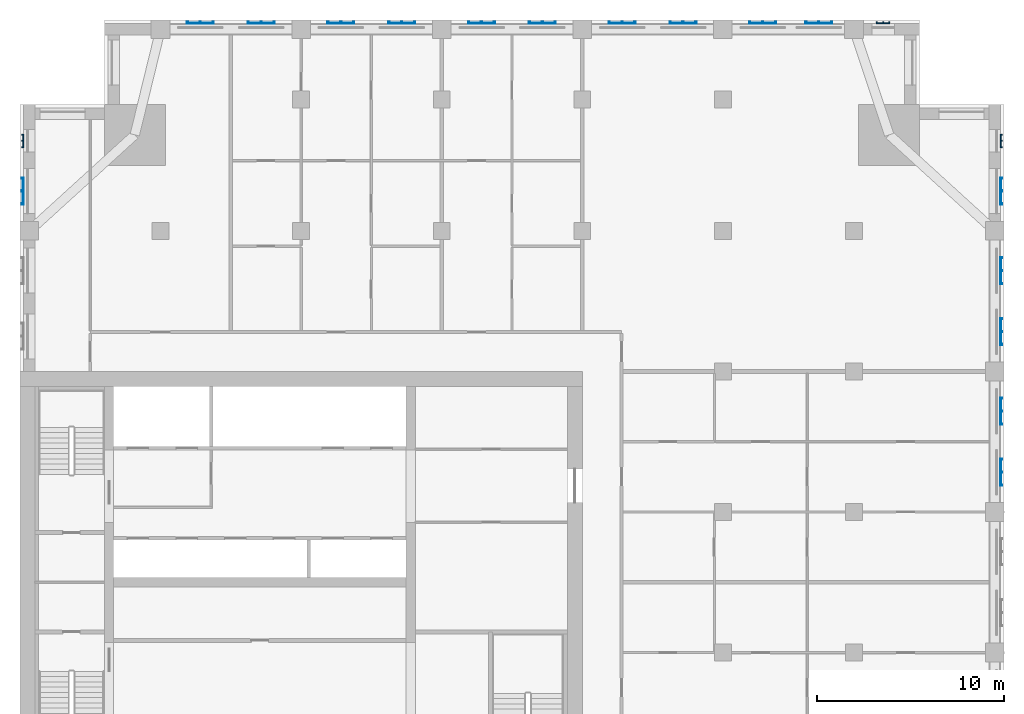
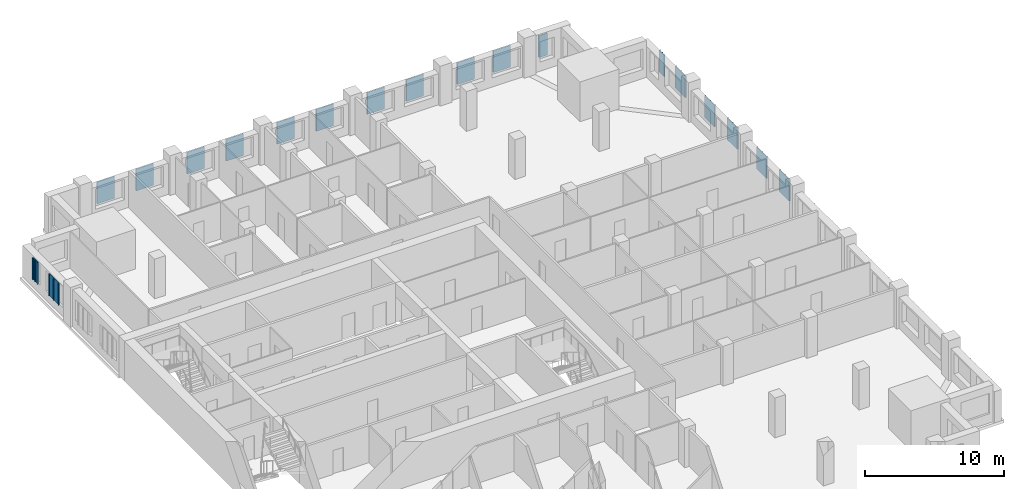
# One storey, part 5 of 14: 19 plates.
"""IFC4 building model written with IfcOpenShell, lengths in metres."""

from ifc_helpers import new_model, si_unit, direction, frame, origin, place, context, subcontext, project, spatial, polyline, outline, extrude, material, layer, layer_set, type_object, element, save


model = new_model("IFC4")

# Units and contexts
model_context = context("Model", 3, precision=1e-05, world=origin(), true_north=direction((0.0, 1.0)))
body_context = subcontext(model_context, "Body", "Model", "MODEL_VIEW")
ifc_project = project(units=[si_unit("LENGTHUNIT", "METRE"), si_unit("AREAUNIT", "SQUARE_METRE"), si_unit("VOLUMEUNIT", "CUBIC_METRE"), si_unit("PLANEANGLEUNIT", "RADIAN"), si_unit("MASSUNIT", "GRAM", prefix="KILO")], contexts=[model_context])

# Site, building, storey
site_placement = place(None, origin())
site = spatial("IfcSite", under=ifc_project, at=site_placement, CompositionType="ELEMENT")
building_placement = place(site_placement, origin())
building = spatial("IfcBuilding", under=site, at=building_placement, Name="Tamorin Gate", CompositionType="ELEMENT")
storey_placement = place(building_placement, frame((0.0, 0.0, 179.199951171875)))
storey = spatial("IfcBuildingStorey", under=building, at=storey_placement, Name="L43", CompositionType="ELEMENT", Elevation=179.199951171875)

# Plates
ifc_material = material(Name="Perforated pale aluminium sheet", Category="aluminium")
ifc_layer_1 = layer(ifc_material, 0.0400390625)
ifc_layer_set_1 = layer_set([ifc_layer_1], Name="Pale metal solar screen 1440")
plate_type_1 = type_object("IfcPlateType", Name="Pale metal solar screen 1440", PredefinedType="SHEET", material=ifc_layer_set_1)
plate_1_placement = place(storey_placement, frame((0.0, 0.0, 0.737548828125)))
element("IfcPlate", 1, at=plate_1_placement, inside=storey, type_object=plate_type_1, Name="Perforated solar screen", PredefinedType="SHEET", context=body_context, shape_type="SweptSolid", body=[
    extrude(outline(polyline([(82.340087890625, 76.405029296875), (82.300048828125, 76.405029296875), (82.300048828125, 76.465087890625), (82.300048828125, 77.094970703125), (82.300048828125, 77.155029296875), (82.300048828125, 77.784912109375), (82.300048828125, 77.844970703125), (82.340087890625, 77.844970703125), (82.39990234375, 77.844970703125), (82.39990234375, 77.784912109375), (82.340087890625, 77.784912109375), (82.340087890625, 77.155029296875), (82.39990234375, 77.155029296875), (82.39990234375, 77.094970703125), (82.340087890625, 77.094970703125), (82.340087890625, 76.465087890625), (82.39990234375, 76.465087890625), (82.39990234375, 76.405029296875), (82.340087890625, 76.405029296875)])), origin(), (0.0, 0.0, 1.0), 1.925048828125),
])
plate_2_placement = place(storey_placement, frame((0.0, 0.0, 0.737548828125)))
element("IfcPlate", 2, at=plate_2_placement, inside=storey, type_object=plate_type_1, Name="Perforated solar screen", PredefinedType="SHEET", context=body_context, shape_type="SweptSolid", body=[
    extrude(outline(polyline([(82.340087890625, 79.655029296875), (82.300048828125, 79.655029296875), (82.300048828125, 79.715087890625), (82.300048828125, 80.344970703125), (82.300048828125, 80.405029296875), (82.300048828125, 81.034912109375), (82.300048828125, 81.094970703125), (82.340087890625, 81.094970703125), (82.39990234375, 81.094970703125), (82.39990234375, 81.034912109375), (82.340087890625, 81.034912109375), (82.340087890625, 80.405029296875), (82.39990234375, 80.405029296875), (82.39990234375, 80.344970703125), (82.340087890625, 80.344970703125), (82.340087890625, 79.715087890625), (82.39990234375, 79.715087890625), (82.39990234375, 79.655029296875), (82.340087890625, 79.655029296875)])), origin(), (0.0, 0.0, 1.0), 1.925048828125),
])
plate_3_placement = place(storey_placement, frame((0.0, 0.0, 0.737548828125)))
element("IfcPlate", 3, at=plate_3_placement, inside=storey, type_object=plate_type_1, Name="Perforated solar screen", PredefinedType="SHEET", context=body_context, shape_type="SweptSolid", body=[
    extrude(outline(polyline([(82.340087890625, 83.905029296875), (82.300048828125, 83.905029296875), (82.300048828125, 83.965087890625), (82.300048828125, 84.594970703125), (82.300048828125, 84.655029296875), (82.300048828125, 85.284912109375), (82.300048828125, 85.344970703125), (82.340087890625, 85.344970703125), (82.39990234375, 85.344970703125), (82.39990234375, 85.284912109375), (82.340087890625, 85.284912109375), (82.340087890625, 84.655029296875), (82.39990234375, 84.655029296875), (82.39990234375, 84.594970703125), (82.340087890625, 84.594970703125), (82.340087890625, 83.965087890625), (82.39990234375, 83.965087890625), (82.39990234375, 83.905029296875), (82.340087890625, 83.905029296875)])), origin(), (0.0, 0.0, 1.0), 1.925048828125),
])
plate_4_placement = place(storey_placement, frame((0.0, 0.0, 0.737548828125)))
element("IfcPlate", 4, at=plate_4_placement, inside=storey, type_object=plate_type_1, Name="Perforated solar screen", PredefinedType="SHEET", context=body_context, shape_type="SweptSolid", body=[
    extrude(outline(polyline([(82.340087890625, 87.155029296875), (82.300048828125, 87.155029296875), (82.300048828125, 87.215087890625), (82.300048828125, 87.844970703125), (82.300048828125, 87.905029296875), (82.300048828125, 88.534912109375), (82.300048828125, 88.594970703125), (82.340087890625, 88.594970703125), (82.39990234375, 88.594970703125), (82.39990234375, 88.534912109375), (82.340087890625, 88.534912109375), (82.340087890625, 87.905029296875), (82.39990234375, 87.905029296875), (82.39990234375, 87.844970703125), (82.340087890625, 87.844970703125), (82.340087890625, 87.215087890625), (82.39990234375, 87.215087890625), (82.39990234375, 87.155029296875), (82.340087890625, 87.155029296875)])), origin(), (0.0, 0.0, 1.0), 1.925048828125),
])
plate_5_placement = place(storey_placement, frame((0.0, 0.0, 0.737548828125)))
element("IfcPlate", 5, at=plate_5_placement, inside=storey, type_object=plate_type_1, Name="Perforated solar screen", PredefinedType="SHEET", context=body_context, shape_type="SweptSolid", body=[
    extrude(outline(polyline([(82.340087890625, 91.405029296875), (82.300048828125, 91.405029296875), (82.300048828125, 91.465087890625), (82.300048828125, 92.094970703125), (82.300048828125, 92.155029296875), (82.300048828125, 92.784912109375), (82.300048828125, 92.844970703125), (82.340087890625, 92.844970703125), (82.39990234375, 92.844970703125), (82.39990234375, 92.784912109375), (82.340087890625, 92.784912109375), (82.340087890625, 92.155029296875), (82.39990234375, 92.155029296875), (82.39990234375, 92.094970703125), (82.340087890625, 92.094970703125), (82.340087890625, 91.465087890625), (82.39990234375, 91.465087890625), (82.39990234375, 91.405029296875), (82.340087890625, 91.405029296875)])), origin(), (0.0, 0.0, 1.0), 1.925048828125),
])
plate_6_placement = place(storey_placement, frame((0.0, 0.0, 0.737548828125)))
element("IfcPlate", 6, at=plate_6_placement, inside=storey, type_object=plate_type_1, Name="Perforated solar screen", PredefinedType="SHEET", context=body_context, shape_type="SweptSolid", body=[
    extrude(outline(polyline([(70.344970703125, 101.090087890625), (70.344970703125, 101.050048828125), (70.284912109375, 101.050048828125), (69.655029296875, 101.050048828125), (69.594970703125, 101.050048828125), (68.965087890625, 101.050048828125), (68.905029296875, 101.050048828125), (68.905029296875, 101.090087890625), (68.905029296875, 101.14990234375), (68.965087890625, 101.14990234375), (68.965087890625, 101.090087890625), (69.594970703125, 101.090087890625), (69.594970703125, 101.14990234375), (69.655029296875, 101.14990234375), (69.655029296875, 101.090087890625), (70.284912109375, 101.090087890625), (70.284912109375, 101.14990234375), (70.344970703125, 101.14990234375), (70.344970703125, 101.090087890625)])), origin(), (0.0, 0.0, 1.0), 1.925048828125),
])
plate_7_placement = place(storey_placement, frame((0.0, 0.0, 0.737548828125)))
element("IfcPlate", 7, at=plate_7_placement, inside=storey, type_object=plate_type_1, Name="Perforated solar screen", PredefinedType="SHEET", context=body_context, shape_type="SweptSolid", body=[
    extrude(outline(polyline([(73.344970703125, 101.090087890625), (73.344970703125, 101.050048828125), (73.284912109375, 101.050048828125), (72.655029296875, 101.050048828125), (72.594970703125, 101.050048828125), (71.965087890625, 101.050048828125), (71.905029296875, 101.050048828125), (71.905029296875, 101.050048828125), (71.905029296875, 101.090087890625), (71.905029296875, 101.090087890625), (71.905029296875, 101.14990234375), (71.965087890625, 101.14990234375), (71.965087890625, 101.090087890625), (72.594970703125, 101.090087890625), (72.594970703125, 101.14990234375), (72.655029296875, 101.14990234375), (72.655029296875, 101.090087890625), (73.284912109375, 101.090087890625), (73.284912109375, 101.14990234375), (73.344970703125, 101.14990234375), (73.344970703125, 101.090087890625)])), origin(), (0.0, 0.0, 1.0), 1.925048828125),
])
plate_8_placement = place(storey_placement, frame((0.0, 0.0, 0.737548828125)))
element("IfcPlate", 8, at=plate_8_placement, inside=storey, type_object=plate_type_1, Name="Perforated solar screen", PredefinedType="SHEET", context=body_context, shape_type="SweptSolid", body=[
    extrude(outline(polyline([(62.844970703125, 101.090087890625), (62.844970703125, 101.050048828125), (62.784912109375, 101.050048828125), (62.155029296875, 101.050048828125), (62.094970703125, 101.050048828125), (61.465087890625, 101.050048828125), (61.405029296875, 101.050048828125), (61.405029296875, 101.090087890625), (61.405029296875, 101.14990234375), (61.465087890625, 101.14990234375), (61.465087890625, 101.090087890625), (62.094970703125, 101.090087890625), (62.094970703125, 101.14990234375), (62.155029296875, 101.14990234375), (62.155029296875, 101.090087890625), (62.784912109375, 101.090087890625), (62.784912109375, 101.14990234375), (62.844970703125, 101.14990234375), (62.844970703125, 101.090087890625)])), origin(), (0.0, 0.0, 1.0), 1.925048828125),
])
plate_9_placement = place(storey_placement, frame((0.0, 0.0, 0.737548828125)))
element("IfcPlate", 9, at=plate_9_placement, inside=storey, type_object=plate_type_1, Name="Perforated solar screen", PredefinedType="SHEET", context=body_context, shape_type="SweptSolid", body=[
    extrude(outline(polyline([(66.094970703125, 101.090087890625), (66.094970703125, 101.050048828125), (66.034912109375, 101.050048828125), (65.405029296875, 101.050048828125), (65.344970703125, 101.050048828125), (64.715087890625, 101.050048828125), (64.655029296875, 101.050048828125), (64.655029296875, 101.090087890625), (64.655029296875, 101.14990234375), (64.715087890625, 101.14990234375), (64.715087890625, 101.090087890625), (65.344970703125, 101.090087890625), (65.344970703125, 101.14990234375), (65.405029296875, 101.14990234375), (65.405029296875, 101.090087890625), (66.034912109375, 101.090087890625), (66.034912109375, 101.14990234375), (66.094970703125, 101.14990234375), (66.094970703125, 101.090087890625)])), origin(), (0.0, 0.0, 1.0), 1.925048828125),
])
plate_10_placement = place(storey_placement, frame((0.0, 0.0, 0.737548828125)))
element("IfcPlate", 10, at=plate_10_placement, inside=storey, type_object=plate_type_1, Name="Perforated solar screen", PredefinedType="SHEET", context=body_context, shape_type="SweptSolid", body=[
    extrude(outline(polyline([(55.344970703125, 101.090087890625), (55.344970703125, 101.050048828125), (55.284912109375, 101.050048828125), (54.655029296875, 101.050048828125), (54.594970703125, 101.050048828125), (53.965087890625, 101.050048828125), (53.905029296875, 101.050048828125), (53.905029296875, 101.090087890625), (53.905029296875, 101.14990234375), (53.965087890625, 101.14990234375), (53.965087890625, 101.090087890625), (54.594970703125, 101.090087890625), (54.594970703125, 101.14990234375), (54.655029296875, 101.14990234375), (54.655029296875, 101.090087890625), (55.284912109375, 101.090087890625), (55.284912109375, 101.14990234375), (55.344970703125, 101.14990234375), (55.344970703125, 101.090087890625)])), origin(), (0.0, 0.0, 1.0), 1.925048828125),
])
plate_11_placement = place(storey_placement, frame((0.0, 0.0, 0.737548828125)))
element("IfcPlate", 11, at=plate_11_placement, inside=storey, type_object=plate_type_1, Name="Perforated solar screen", PredefinedType="SHEET", context=body_context, shape_type="SweptSolid", body=[
    extrude(outline(polyline([(58.594970703125, 101.090087890625), (58.594970703125, 101.050048828125), (58.534912109375, 101.050048828125), (57.905029296875, 101.050048828125), (57.844970703125, 101.050048828125), (57.215087890625, 101.050048828125), (57.155029296875, 101.050048828125), (57.155029296875, 101.090087890625), (57.155029296875, 101.14990234375), (57.215087890625, 101.14990234375), (57.215087890625, 101.090087890625), (57.844970703125, 101.090087890625), (57.844970703125, 101.14990234375), (57.905029296875, 101.14990234375), (57.905029296875, 101.090087890625), (58.534912109375, 101.090087890625), (58.534912109375, 101.14990234375), (58.594970703125, 101.14990234375), (58.594970703125, 101.090087890625)])), origin(), (0.0, 0.0, 1.0), 1.925048828125),
])
plate_12_placement = place(storey_placement, frame((0.0, 0.0, 0.737548828125)))
element("IfcPlate", 12, at=plate_12_placement, inside=storey, type_object=plate_type_1, Name="Perforated solar screen", PredefinedType="SHEET", context=body_context, shape_type="SweptSolid", body=[
    extrude(outline(polyline([(47.844970703125, 101.090087890625), (47.844970703125, 101.050048828125), (47.784912109375, 101.050048828125), (47.155029296875, 101.050048828125), (47.094970703125, 101.050048828125), (46.465087890625, 101.050048828125), (46.405029296875, 101.050048828125), (46.405029296875, 101.090087890625), (46.405029296875, 101.14990234375), (46.465087890625, 101.14990234375), (46.465087890625, 101.090087890625), (47.094970703125, 101.090087890625), (47.094970703125, 101.14990234375), (47.155029296875, 101.14990234375), (47.155029296875, 101.090087890625), (47.784912109375, 101.090087890625), (47.784912109375, 101.14990234375), (47.844970703125, 101.14990234375), (47.844970703125, 101.090087890625)])), origin(), (0.0, 0.0, 1.0), 1.925048828125),
])
plate_13_placement = place(storey_placement, frame((0.0, 0.0, 0.737548828125)))
element("IfcPlate", 13, at=plate_13_placement, inside=storey, type_object=plate_type_1, Name="Perforated solar screen", PredefinedType="SHEET", context=body_context, shape_type="SweptSolid", body=[
    extrude(outline(polyline([(51.094970703125, 101.090087890625), (51.094970703125, 101.050048828125), (51.034912109375, 101.050048828125), (50.405029296875, 101.050048828125), (50.344970703125, 101.050048828125), (49.715087890625, 101.050048828125), (49.655029296875, 101.050048828125), (49.655029296875, 101.090087890625), (49.655029296875, 101.14990234375), (49.715087890625, 101.14990234375), (49.715087890625, 101.090087890625), (50.344970703125, 101.090087890625), (50.344970703125, 101.14990234375), (50.405029296875, 101.14990234375), (50.405029296875, 101.090087890625), (51.034912109375, 101.090087890625), (51.034912109375, 101.14990234375), (51.094970703125, 101.14990234375), (51.094970703125, 101.090087890625)])), origin(), (0.0, 0.0, 1.0), 1.925048828125),
])
plate_14_placement = place(storey_placement, frame((0.0, 0.0, 0.737548828125)))
element("IfcPlate", 14, at=plate_14_placement, inside=storey, type_object=plate_type_1, Name="Perforated solar screen", PredefinedType="SHEET", context=body_context, shape_type="SweptSolid", body=[
    extrude(outline(polyline([(40.344970703125, 101.090087890625), (40.344970703125, 101.050048828125), (40.284912109375, 101.050048828125), (39.655029296875, 101.050048828125), (39.594970703125, 101.050048828125), (38.965087890625, 101.050048828125), (38.905029296875, 101.050048828125), (38.905029296875, 101.090087890625), (38.905029296875, 101.14990234375), (38.965087890625, 101.14990234375), (38.965087890625, 101.090087890625), (39.594970703125, 101.090087890625), (39.594970703125, 101.14990234375), (39.655029296875, 101.14990234375), (39.655029296875, 101.090087890625), (40.284912109375, 101.090087890625), (40.284912109375, 101.14990234375), (40.344970703125, 101.14990234375), (40.344970703125, 101.090087890625)])), origin(), (0.0, 0.0, 1.0), 1.925048828125),
])
plate_15_placement = place(storey_placement, frame((0.0, 0.0, 0.737548828125)))
element("IfcPlate", 15, at=plate_15_placement, inside=storey, type_object=plate_type_1, Name="Perforated solar screen", PredefinedType="SHEET", context=body_context, shape_type="SweptSolid", body=[
    extrude(outline(polyline([(43.594970703125, 101.090087890625), (43.594970703125, 101.050048828125), (43.534912109375, 101.050048828125), (42.905029296875, 101.050048828125), (42.844970703125, 101.050048828125), (42.215087890625, 101.050048828125), (42.155029296875, 101.050048828125), (42.155029296875, 101.090087890625), (42.155029296875, 101.14990234375), (42.215087890625, 101.14990234375), (42.215087890625, 101.090087890625), (42.844970703125, 101.090087890625), (42.844970703125, 101.14990234375), (42.905029296875, 101.14990234375), (42.905029296875, 101.090087890625), (43.534912109375, 101.090087890625), (43.534912109375, 101.14990234375), (43.594970703125, 101.14990234375), (43.594970703125, 101.090087890625)])), origin(), (0.0, 0.0, 1.0), 1.925048828125),
])
plate_16_placement = place(storey_placement, frame((0.0, 0.0, 0.737548828125)))
element("IfcPlate", 16, at=plate_16_placement, inside=storey, type_object=plate_type_1, Name="Perforated solar screen", PredefinedType="SHEET", context=body_context, shape_type="SweptSolid", body=[
    extrude(outline(polyline([(30.159912109375, 92.844970703125), (30.199951171875, 92.844970703125), (30.199951171875, 92.784912109375), (30.199951171875, 92.155029296875), (30.199951171875, 92.094970703125), (30.199951171875, 91.465087890625), (30.199951171875, 91.405029296875), (30.199951171875, 91.405029296875), (30.159912109375, 91.405029296875), (30.159912109375, 91.405029296875), (30.10009765625, 91.405029296875), (30.10009765625, 91.465087890625), (30.159912109375, 91.465087890625), (30.159912109375, 92.094970703125), (30.10009765625, 92.094970703125), (30.10009765625, 92.155029296875), (30.159912109375, 92.155029296875), (30.159912109375, 92.784912109375), (30.10009765625, 92.784912109375), (30.10009765625, 92.844970703125), (30.159912109375, 92.844970703125)])), origin(), (0.0, 0.0, 1.0), 1.925048828125),
])
ifc_layer_2 = layer(ifc_material, 0.0400390625)
ifc_layer_set_2 = layer_set([ifc_layer_2], Name="Pale metal solar screen 720")
plate_type_2 = type_object("IfcPlateType", Name="Pale metal solar screen 720", PredefinedType="SHEET", material=ifc_layer_set_2)
plate_17_placement = place(storey_placement, frame((0.0, 0.0, 0.737548828125)))
element("IfcPlate", 17, at=plate_17_placement, inside=storey, type_object=plate_type_2, Name="Perforated solar screen", PredefinedType="SHEET", context=body_context, shape_type="SweptSolid", body=[
    extrude(outline(polyline([(82.340087890625, 94.43994140625), (82.300048828125, 94.43994140625), (82.300048828125, 94.5), (82.300048828125, 94.77001953125), (82.300048828125, 94.830078125), (82.300048828125, 95.10009765625), (82.300048828125, 95.159912109375), (82.340087890625, 95.159912109375), (82.39990234375, 95.159912109375), (82.39990234375, 95.10009765625), (82.340087890625, 95.10009765625), (82.340087890625, 94.830078125), (82.39990234375, 94.830078125), (82.39990234375, 94.77001953125), (82.340087890625, 94.77001953125), (82.340087890625, 94.5), (82.39990234375, 94.5), (82.39990234375, 94.43994140625), (82.340087890625, 94.43994140625)])), origin(), (0.0, 0.0, 1.0), 1.925048828125),
])
plate_18_placement = place(storey_placement, frame((0.0, 0.0, 0.737548828125)))
element("IfcPlate", 18, at=plate_18_placement, inside=storey, type_object=plate_type_2, Name="Perforated solar screen", PredefinedType="SHEET", context=body_context, shape_type="SweptSolid", body=[
    extrude(outline(polyline([(76.409912109375, 101.090087890625), (76.409912109375, 101.050048828125), (76.35009765625, 101.050048828125), (76.080078125, 101.050048828125), (76.02001953125, 101.050048828125), (75.75, 101.050048828125), (75.68994140625, 101.050048828125), (75.68994140625, 101.090087890625), (75.68994140625, 101.14990234375), (75.75, 101.14990234375), (75.75, 101.090087890625), (76.02001953125, 101.090087890625), (76.02001953125, 101.14990234375), (76.080078125, 101.14990234375), (76.080078125, 101.090087890625), (76.35009765625, 101.090087890625), (76.35009765625, 101.14990234375), (76.409912109375, 101.14990234375), (76.409912109375, 101.090087890625)])), origin(), (0.0, 0.0, 1.0), 1.925048828125),
])
plate_19_placement = place(storey_placement, frame((0.0, 0.0, 0.737548828125)))
element("IfcPlate", 19, at=plate_19_placement, inside=storey, type_object=plate_type_2, Name="Perforated solar screen", PredefinedType="SHEET", context=body_context, shape_type="SweptSolid", body=[
    extrude(outline(polyline([(30.159912109375, 95.159912109375), (30.199951171875, 95.159912109375), (30.199951171875, 95.10009765625), (30.199951171875, 94.830078125), (30.199951171875, 94.77001953125), (30.199951171875, 94.5), (30.199951171875, 94.43994140625), (30.159912109375, 94.43994140625), (30.10009765625, 94.43994140625), (30.10009765625, 94.5), (30.159912109375, 94.5), (30.159912109375, 94.77001953125), (30.10009765625, 94.77001953125), (30.10009765625, 94.830078125), (30.159912109375, 94.830078125), (30.159912109375, 95.10009765625), (30.10009765625, 95.10009765625), (30.10009765625, 95.159912109375), (30.159912109375, 95.159912109375)])), origin(), (0.0, 0.0, 1.0), 1.925048828125),
])

save(model, "model.ifc")
